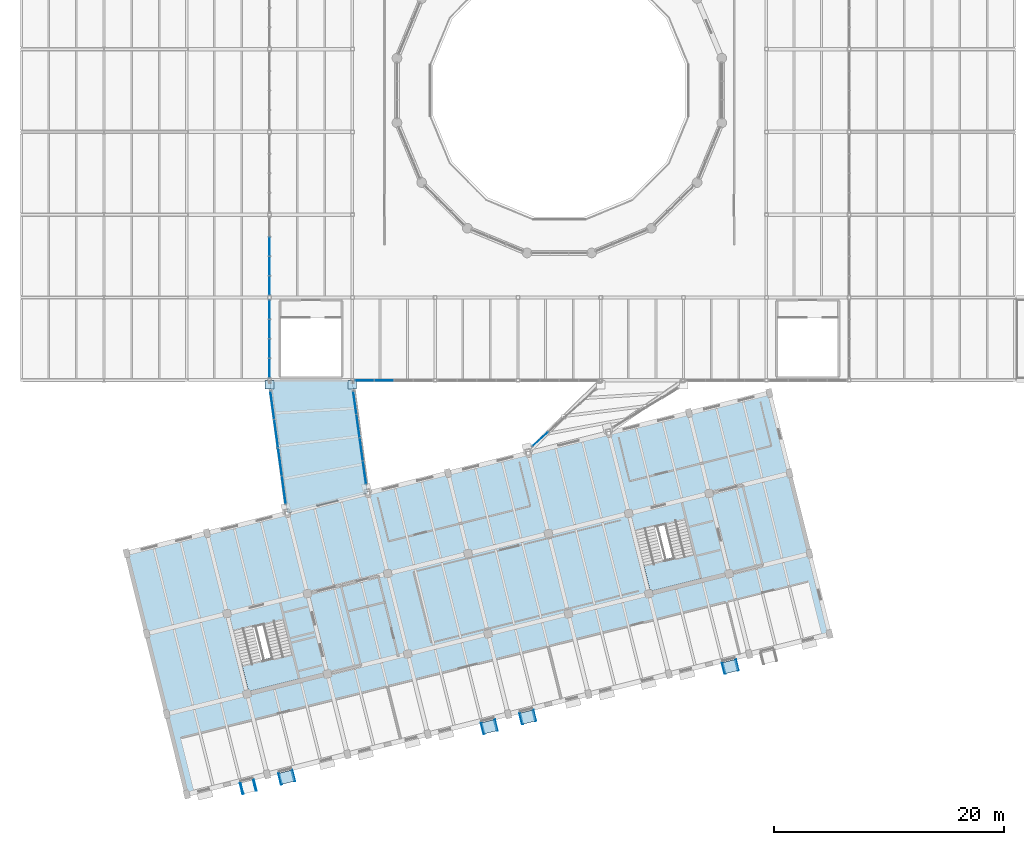
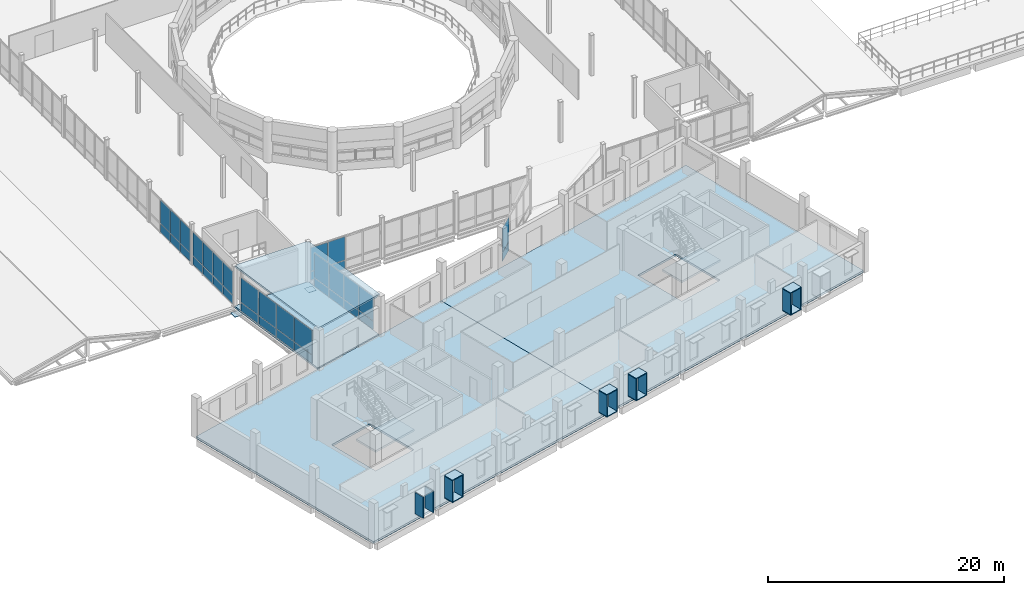
# One storey, part 38 of 63: 56 plates, 6 slabs, 8 elements without a shape of their own.
"""IFC4 building model written with IfcOpenShell, lengths in metres."""

from ifc_helpers import new_model, si_unit, direction, frame, frame_2d, origin, origin_2d, place, context, subcontext, project, spatial, polyline, rectangle, outline, extrude, material, layer, layer_set, type_object, element, aggregate, save


model = new_model("IFC4")

# Units and contexts
model_context = context("Model", 3, precision=1e-05, world=origin(), true_north=direction((0.0, 1.0)))
body_context = subcontext(model_context, "Body", "Model", "MODEL_VIEW")
ifc_project = project(units=[si_unit("LENGTHUNIT", "METRE"), si_unit("AREAUNIT", "SQUARE_METRE"), si_unit("VOLUMEUNIT", "CUBIC_METRE"), si_unit("PLANEANGLEUNIT", "RADIAN"), si_unit("MASSUNIT", "GRAM", prefix="KILO")], contexts=[model_context])

# Site, building, storey
site_placement = place(None, origin())
site = spatial("IfcSite", under=ifc_project, at=site_placement, CompositionType="ELEMENT")
building_placement = place(site_placement, origin())
building = spatial("IfcBuilding", under=site, at=building_placement, Name="Qiaolan Assembly House", CompositionType="ELEMENT")
storey_placement = place(building_placement, frame((0.0, 0.0, 14.39990234375)))
storey = spatial("IfcBuildingStorey", under=building, at=storey_placement, Name="L03", CompositionType="ELEMENT", Elevation=14.39990234375)

# Curtain wall, plates
ifc_material_1 = material(Name="Anodised bronze aluminium", Category="aluminium")
curtain_wall_type_1 = type_object("IfcCurtainWallType", Name="CW-BRIDGE-420", PredefinedType="NOTDEFINED", material=ifc_material_1)
curtain_wall_1_placement = place(storey_placement, origin())
curtain_wall_1 = element("IfcCurtainWall", 1, at=curtain_wall_1_placement, inside=storey, type_object=curtain_wall_type_1, Name="CW-03 Glazed Skybridge Curtain Wall WB L03 W", PredefinedType="NOTDEFINED")
ifc_material_2 = material(Name="Low-E double insulating glass", Category="glass")
ifc_layer_1 = layer(ifc_material_2, 0.030029296875)
ifc_layer_set_1 = layer_set([ifc_layer_1], Name="Low-E double insulating glass")
plate_type_1 = type_object("IfcPlateType", Name="CW-BRIDGE-420-PNL", PredefinedType="CURTAIN_PANEL", material=ifc_layer_set_1)
plate_1_placement = place(storey_placement, frame((44.60791015625, 25.26025390625, 0.05615234375), z_axis=(0.0, 0.0, 1.0), x_axis=(-0.134941925417, 0.990853509236, 0.0)))
plate_1 = element("IfcPlate", 2, at=plate_1_placement, type_object=plate_type_1, Name="GL-04 glazing panel CW-BRIDGE-WB-L03-W-1", PredefinedType="CURTAIN_PANEL", context=body_context, shape_type="SweptSolid", body=[
    extrude(rectangle(XDim=2.417236328125, YDim=0.030029296875, at=frame_2d((1.20849609375, 0.0))), origin(), (0.0, 0.0, 1.0), 0.867919921875),
])
plate_2_placement = place(storey_placement, frame((44.60791015625, 25.26025390625, 0.97607421875), z_axis=(0.0, 0.0, 1.0), x_axis=(-0.134941925417, 0.990853509236, 0.0)))
plate_2 = element("IfcPlate", 3, at=plate_2_placement, type_object=plate_type_1, Name="GL-04 glazing panel CW-BRIDGE-WB-L03-W-2", PredefinedType="CURTAIN_PANEL", context=body_context, shape_type="SweptSolid", body=[
    extrude(rectangle(XDim=2.417236328125, YDim=0.030029296875, at=frame_2d((1.20849609375, 0.0))), origin(), (0.0, 0.0, 1.0), 2.51806640625),
])
plate_3_placement = place(storey_placement, frame((44.2734375, 27.716552734375, 0.05615234375), z_axis=(0.0, 0.0, 1.0), x_axis=(-0.134941925417, 0.990853509236, 0.0)))
plate_3 = element("IfcPlate", 4, at=plate_3_placement, type_object=plate_type_1, Name="GL-04 glazing panel CW-BRIDGE-WB-L03-W-3", PredefinedType="CURTAIN_PANEL", context=body_context, shape_type="SweptSolid", body=[
    extrude(rectangle(XDim=2.417236328125, YDim=0.030029296875, at=frame_2d((1.20849609375, 0.0))), origin(), (0.0, 0.0, 1.0), 0.867919921875),
])
plate_4_placement = place(storey_placement, frame((44.2734375, 27.716552734375, 0.97607421875), z_axis=(0.0, 0.0, 1.0), x_axis=(-0.134941925417, 0.990853509236, 0.0)))
plate_4 = element("IfcPlate", 5, at=plate_4_placement, type_object=plate_type_1, Name="GL-04 glazing panel CW-BRIDGE-WB-L03-W-4", PredefinedType="CURTAIN_PANEL", context=body_context, shape_type="SweptSolid", body=[
    extrude(rectangle(XDim=2.417236328125, YDim=0.030029296875, at=frame_2d((1.20849609375, 0.0))), origin(), (0.0, 0.0, 1.0), 2.51806640625),
])
plate_5_placement = place(storey_placement, frame((43.93896484375, 30.173095703125, 0.05615234375), z_axis=(0.0, 0.0, 1.0), x_axis=(-0.134955431825, 0.990851669737, 0.0)))
plate_5 = element("IfcPlate", 6, at=plate_5_placement, type_object=plate_type_1, Name="GL-04 glazing panel CW-BRIDGE-WB-L03-W-5", PredefinedType="CURTAIN_PANEL", context=body_context, shape_type="SweptSolid", body=[
    extrude(rectangle(XDim=2.4169921875, YDim=0.030029296875, at=frame_2d((1.20849609375, 0.0))), origin(), (0.0, 0.0, 1.0), 0.867919921875),
])
plate_6_placement = place(storey_placement, frame((43.93896484375, 30.173095703125, 0.97607421875), z_axis=(0.0, 0.0, 1.0), x_axis=(-0.134955431825, 0.990851669737, 0.0)))
plate_6 = element("IfcPlate", 7, at=plate_6_placement, type_object=plate_type_1, Name="GL-04 glazing panel CW-BRIDGE-WB-L03-W-6", PredefinedType="CURTAIN_PANEL", context=body_context, shape_type="SweptSolid", body=[
    extrude(rectangle(XDim=2.4169921875, YDim=0.030029296875, at=frame_2d((1.20849609375, 0.0))), origin(), (0.0, 0.0, 1.0), 2.51806640625),
])
plate_7_placement = place(storey_placement, frame((43.6044921875, 32.62939453125, 0.05615234375), z_axis=(0.0, 0.0, 1.0), x_axis=(-0.134941925417, 0.990853509236, 0.0)))
plate_7 = element("IfcPlate", 8, at=plate_7_placement, type_object=plate_type_1, Name="GL-04 glazing panel CW-BRIDGE-WB-L03-W-7", PredefinedType="CURTAIN_PANEL", context=body_context, shape_type="SweptSolid", body=[
    extrude(rectangle(XDim=2.417236328125, YDim=0.030029296875, at=frame_2d((1.20849609375, 0.0))), origin(), (0.0, 0.0, 1.0), 0.867919921875),
])
plate_8_placement = place(storey_placement, frame((43.6044921875, 32.62939453125, 0.97607421875), z_axis=(0.0, 0.0, 1.0), x_axis=(-0.134941925417, 0.990853509236, 0.0)))
plate_8 = element("IfcPlate", 9, at=plate_8_placement, type_object=plate_type_1, Name="GL-04 glazing panel CW-BRIDGE-WB-L03-W-8", PredefinedType="CURTAIN_PANEL", context=body_context, shape_type="SweptSolid", body=[
    extrude(rectangle(XDim=2.417236328125, YDim=0.030029296875, at=frame_2d((1.20849609375, 0.0))), origin(), (0.0, 0.0, 1.0), 2.51806640625),
])
aggregate(curtain_wall_1, [plate_1, plate_2, plate_3, plate_4, plate_5, plate_6, plate_7, plate_8])

curtain_wall_2_placement = place(storey_placement, origin())
curtain_wall_2 = element("IfcCurtainWall", 10, at=curtain_wall_2_placement, inside=storey, type_object=curtain_wall_type_1, Name="CW-03 Glazed Skybridge Curtain Wall WB L03 E", PredefinedType="NOTDEFINED")
plate_9_placement = place(storey_placement, frame((50.479736328125, 35.0244140625, 0.05615234375), z_axis=(0.0, 0.0, 1.0), x_axis=(0.137480926683, -0.990504414326, 0.0)))
plate_9 = element("IfcPlate", 11, at=plate_9_placement, type_object=plate_type_1, Name="GL-04 glazing panel CW-BRIDGE-WB-L03-E-1", PredefinedType="CURTAIN_PANEL", context=body_context, shape_type="SweptSolid", body=[
    extrude(rectangle(XDim=1.978271484375, YDim=0.030029296875, at=frame_2d((0.9892578125, 0.0))), origin(), (0.0, 0.0, 1.0), 0.867919921875),
])
plate_10_placement = place(storey_placement, frame((50.479736328125, 35.0244140625, 0.97607421875), z_axis=(0.0, 0.0, 1.0), x_axis=(0.137480926683, -0.990504414326, 0.0)))
plate_10 = element("IfcPlate", 12, at=plate_10_placement, type_object=plate_type_1, Name="GL-04 glazing panel CW-BRIDGE-WB-L03-E-2", PredefinedType="CURTAIN_PANEL", context=body_context, shape_type="SweptSolid", body=[
    extrude(rectangle(XDim=1.978271484375, YDim=0.030029296875, at=frame_2d((0.9892578125, 0.0))), origin(), (0.0, 0.0, 1.0), 2.51806640625),
])
plate_11_placement = place(storey_placement, frame((50.76025390625, 33.003662109375, 0.05615234375), z_axis=(0.0, 0.0, 1.0), x_axis=(0.137343054833, -0.990523541007, 0.0)))
plate_11 = element("IfcPlate", 13, at=plate_11_placement, type_object=plate_type_1, Name="GL-04 glazing panel CW-BRIDGE-WB-L03-E-3", PredefinedType="CURTAIN_PANEL", context=body_context, shape_type="SweptSolid", body=[
    extrude(rectangle(XDim=1.978515625, YDim=0.030029296875, at=frame_2d((0.9892578125, 0.0))), origin(), (0.0, 0.0, 1.0), 0.867919921875),
])
plate_12_placement = place(storey_placement, frame((50.76025390625, 33.003662109375, 0.97607421875), z_axis=(0.0, 0.0, 1.0), x_axis=(0.137343054833, -0.990523541007, 0.0)))
plate_12 = element("IfcPlate", 14, at=plate_12_placement, type_object=plate_type_1, Name="GL-04 glazing panel CW-BRIDGE-WB-L03-E-4", PredefinedType="CURTAIN_PANEL", context=body_context, shape_type="SweptSolid", body=[
    extrude(rectangle(XDim=1.978515625, YDim=0.030029296875, at=frame_2d((0.9892578125, 0.0))), origin(), (0.0, 0.0, 1.0), 2.51806640625),
])
plate_13_placement = place(storey_placement, frame((51.04052734375, 30.982421875, 0.05615234375), z_axis=(0.0, 0.0, 1.0), x_axis=(0.13735984425, -0.990521212891, 0.0)))
plate_13 = element("IfcPlate", 15, at=plate_13_placement, type_object=plate_type_1, Name="GL-04 glazing panel CW-BRIDGE-WB-L03-E-5", PredefinedType="CURTAIN_PANEL", context=body_context, shape_type="SweptSolid", body=[
    extrude(rectangle(XDim=1.978271484375, YDim=0.030029296875, at=frame_2d((0.9892578125, 0.0))), origin(), (0.0, 0.0, 1.0), 0.867919921875),
])
plate_14_placement = place(storey_placement, frame((51.04052734375, 30.982421875, 0.97607421875), z_axis=(0.0, 0.0, 1.0), x_axis=(0.13735984425, -0.990521212891, 0.0)))
plate_14 = element("IfcPlate", 16, at=plate_14_placement, type_object=plate_type_1, Name="GL-04 glazing panel CW-BRIDGE-WB-L03-E-6", PredefinedType="CURTAIN_PANEL", context=body_context, shape_type="SweptSolid", body=[
    extrude(rectangle(XDim=1.978271484375, YDim=0.030029296875, at=frame_2d((0.9892578125, 0.0))), origin(), (0.0, 0.0, 1.0), 2.51806640625),
])
plate_15_placement = place(storey_placement, frame((51.32080078125, 28.961669921875, 0.05615234375), z_axis=(0.0, 0.0, 1.0), x_axis=(0.137343054833, -0.990523541007, 0.0)))
plate_15 = element("IfcPlate", 17, at=plate_15_placement, type_object=plate_type_1, Name="GL-04 glazing panel CW-BRIDGE-WB-L03-E-7", PredefinedType="CURTAIN_PANEL", context=body_context, shape_type="SweptSolid", body=[
    extrude(rectangle(XDim=1.978515625, YDim=0.030029296875, at=frame_2d((0.9892578125, 0.0))), origin(), (0.0, 0.0, 1.0), 0.867919921875),
])
plate_16_placement = place(storey_placement, frame((51.32080078125, 28.961669921875, 0.97607421875), z_axis=(0.0, 0.0, 1.0), x_axis=(0.137343054833, -0.990523541007, 0.0)))
plate_16 = element("IfcPlate", 18, at=plate_16_placement, type_object=plate_type_1, Name="GL-04 glazing panel CW-BRIDGE-WB-L03-E-8", PredefinedType="CURTAIN_PANEL", context=body_context, shape_type="SweptSolid", body=[
    extrude(rectangle(XDim=1.978515625, YDim=0.030029296875, at=frame_2d((0.9892578125, 0.0))), origin(), (0.0, 0.0, 1.0), 2.51806640625),
])
aggregate(curtain_wall_2, [plate_9, plate_10, plate_11, plate_12, plate_13, plate_14, plate_15, plate_16])

curtain_wall_3_placement = place(storey_placement, origin())
curtain_wall_3 = element("IfcCurtainWall", 19, at=curtain_wall_3_placement, inside=storey, type_object=curtain_wall_type_1, Name="CW-03 Glazed Skybridge Curtain Wall EB L03 W", PredefinedType="NOTDEFINED")
plate_17_placement = place(storey_placement, frame((66.07763671875, 30.297607421875, 0.05615234375), z_axis=(0.0, 0.0, 1.0), x_axis=(0.744988771168, 0.667077005175, 0.0)))
plate_17 = element("IfcPlate", 20, at=plate_17_placement, type_object=plate_type_1, Name="GL-04 glazing panel CW-BRIDGE-EB-L03-W-1", PredefinedType="CURTAIN_PANEL", context=body_context, shape_type="SweptSolid", body=[
    extrude(rectangle(XDim=1.79541015625, YDim=0.030029296875, at=frame_2d((0.897705078125, 0.0))), origin(), (0.0, 0.0, 1.0), 0.867919921875),
])
plate_18_placement = place(storey_placement, frame((66.07763671875, 30.297607421875, 0.97607421875), z_axis=(0.0, 0.0, 1.0), x_axis=(0.744988771168, 0.667077005175, 0.0)))
plate_18 = element("IfcPlate", 21, at=plate_18_placement, type_object=plate_type_1, Name="GL-04 glazing panel CW-BRIDGE-EB-L03-W-2", PredefinedType="CURTAIN_PANEL", context=body_context, shape_type="SweptSolid", body=[
    extrude(rectangle(XDim=1.79541015625, YDim=0.030029296875, at=frame_2d((0.897705078125, 0.0))), origin(), (0.0, 0.0, 1.0), 2.51806640625),
])
aggregate(curtain_wall_3, [plate_17, plate_18])

curtain_wall_type_2 = type_object("IfcCurtainWallType", Name="CW-HALL-CONC-420", PredefinedType="NOTDEFINED", material=ifc_material_1)
curtain_wall_4_placement = place(storey_placement, origin())
curtain_wall_4 = element("IfcCurtainWall", 22, at=curtain_wall_4_placement, inside=storey, type_object=curtain_wall_type_2, Name="CW-07 L03 Concourse South CW 2", PredefinedType="NOTDEFINED")
ifc_layer_2 = layer(ifc_material_2, 0.031005859375)
ifc_layer_set_2 = layer_set([ifc_layer_2], Name="Low-E double insulating glass")
plate_type_2 = type_object("IfcPlateType", Name="CW-HALL-CONC-420-PNL", PredefinedType="CURTAIN_PANEL", material=ifc_layer_set_2)
plate_19_placement = place(storey_placement, frame((50.64306640625, 36.0, 0.05810546875), z_axis=(0.0, 0.0, 1.0), x_axis=(1.0, 0.0, 0.0)))
plate_19 = element("IfcPlate", 23, at=plate_19_placement, type_object=plate_type_2, Name="GL-03 glazing panel CW-HLC-S-01-1", PredefinedType="CURTAIN_PANEL", context=body_context, shape_type="SweptSolid", body=[
    extrude(rectangle(XDim=1.62890625, YDim=0.031005859375, at=frame_2d((0.814453125, 0.0))), origin(), (0.0, 0.0, 1.0), 0.864013671875),
])
plate_20_placement = place(storey_placement, frame((50.64306640625, 36.0, 0.97802734375), z_axis=(0.0, 0.0, 1.0), x_axis=(1.0, 0.0, 0.0)))
plate_20 = element("IfcPlate", 24, at=plate_20_placement, type_object=plate_type_2, Name="GL-03 glazing panel CW-HLC-S-01-2", PredefinedType="CURTAIN_PANEL", context=body_context, shape_type="SweptSolid", body=[
    extrude(rectangle(XDim=1.62890625, YDim=0.031005859375, at=frame_2d((0.814453125, 0.0))), origin(), (0.0, 0.0, 1.0), 2.4140625),
])
plate_21_placement = place(storey_placement, frame((52.337890625, 36.0, 0.05810546875), z_axis=(0.0, 0.0, 1.0), x_axis=(1.0, 0.0, 0.0)))
plate_21 = element("IfcPlate", 25, at=plate_21_placement, type_object=plate_type_2, Name="GL-03 glazing panel CW-HLC-S-01-3", PredefinedType="CURTAIN_PANEL", context=body_context, shape_type="SweptSolid", body=[
    extrude(rectangle(XDim=1.629150390625, YDim=0.031005859375, at=frame_2d((0.814453125, 0.0))), origin(), (0.0, 0.0, 1.0), 0.864013671875),
])
plate_22_placement = place(storey_placement, frame((52.337890625, 36.0, 0.97802734375), z_axis=(0.0, 0.0, 1.0), x_axis=(1.0, 0.0, 0.0)))
plate_22 = element("IfcPlate", 26, at=plate_22_placement, type_object=plate_type_2, Name="GL-03 glazing panel CW-HLC-S-01-4", PredefinedType="CURTAIN_PANEL", context=body_context, shape_type="SweptSolid", body=[
    extrude(rectangle(XDim=1.629150390625, YDim=0.031005859375, at=frame_2d((0.814453125, 0.0))), origin(), (0.0, 0.0, 1.0), 2.4140625),
])
aggregate(curtain_wall_4, [plate_19, plate_20, plate_21, plate_22])

curtain_wall_5_placement = place(storey_placement, origin())
curtain_wall_5 = element("IfcCurtainWall", 27, at=curtain_wall_5_placement, inside=storey, type_object=curtain_wall_type_2, Name="CW-07 L03 Concourse West CW 1", PredefinedType="NOTDEFINED")
plate_23_placement = place(storey_placement, frame((43.199951171875, 36.242919921875, 0.05810546875), z_axis=(0.0, 0.0, 1.0), x_axis=(0.0, 1.0, 0.0)))
plate_23 = element("IfcPlate", 28, at=plate_23_placement, type_object=plate_type_2, Name="GL-03 glazing panel CW-HLC-W-00-1", PredefinedType="CURTAIN_PANEL", context=body_context, shape_type="SweptSolid", body=[
    extrude(rectangle(XDim=1.629150390625, YDim=0.031005859375, at=frame_2d((0.814453125, 0.0))), origin(), (0.0, 0.0, 1.0), 0.864013671875),
])
plate_24_placement = place(storey_placement, frame((43.199951171875, 36.242919921875, 0.97802734375), z_axis=(0.0, 0.0, 1.0), x_axis=(0.0, 1.0, 0.0)))
plate_24 = element("IfcPlate", 29, at=plate_24_placement, type_object=plate_type_2, Name="GL-03 glazing panel CW-HLC-W-00-2", PredefinedType="CURTAIN_PANEL", context=body_context, shape_type="SweptSolid", body=[
    extrude(rectangle(XDim=1.629150390625, YDim=0.031005859375, at=frame_2d((0.814453125, 0.0))), origin(), (0.0, 0.0, 1.0), 2.4140625),
])
plate_25_placement = place(storey_placement, frame((43.199951171875, 37.93798828125, 0.05810546875), z_axis=(0.0, 0.0, 1.0), x_axis=(0.0, 1.0, 0.0)))
plate_25 = element("IfcPlate", 30, at=plate_25_placement, type_object=plate_type_2, Name="GL-03 glazing panel CW-HLC-W-00-3", PredefinedType="CURTAIN_PANEL", context=body_context, shape_type="SweptSolid", body=[
    extrude(rectangle(XDim=1.62890625, YDim=0.031005859375, at=frame_2d((0.814453125, 0.0))), origin(), (0.0, 0.0, 1.0), 0.864013671875),
])
plate_26_placement = place(storey_placement, frame((43.199951171875, 37.93798828125, 0.97802734375), z_axis=(0.0, 0.0, 1.0), x_axis=(0.0, 1.0, 0.0)))
plate_26 = element("IfcPlate", 31, at=plate_26_placement, type_object=plate_type_2, Name="GL-03 glazing panel CW-HLC-W-00-4", PredefinedType="CURTAIN_PANEL", context=body_context, shape_type="SweptSolid", body=[
    extrude(rectangle(XDim=1.62890625, YDim=0.031005859375, at=frame_2d((0.814453125, 0.0))), origin(), (0.0, 0.0, 1.0), 2.4140625),
])
plate_27_placement = place(storey_placement, frame((43.199951171875, 39.633056640625, 0.05810546875), z_axis=(0.0, 0.0, 1.0), x_axis=(0.0, 1.0, 0.0)))
plate_27 = element("IfcPlate", 32, at=plate_27_placement, type_object=plate_type_2, Name="GL-03 glazing panel CW-HLC-W-00-5", PredefinedType="CURTAIN_PANEL", context=body_context, shape_type="SweptSolid", body=[
    extrude(rectangle(XDim=1.62890625, YDim=0.031005859375, at=frame_2d((0.814453125, 0.0))), origin(), (0.0, 0.0, 1.0), 0.864013671875),
])
plate_28_placement = place(storey_placement, frame((43.199951171875, 39.633056640625, 0.97802734375), z_axis=(0.0, 0.0, 1.0), x_axis=(0.0, 1.0, 0.0)))
plate_28 = element("IfcPlate", 33, at=plate_28_placement, type_object=plate_type_2, Name="GL-03 glazing panel CW-HLC-W-00-6", PredefinedType="CURTAIN_PANEL", context=body_context, shape_type="SweptSolid", body=[
    extrude(rectangle(XDim=1.62890625, YDim=0.031005859375, at=frame_2d((0.814453125, 0.0))), origin(), (0.0, 0.0, 1.0), 2.4140625),
])
plate_29_placement = place(storey_placement, frame((43.199951171875, 41.327880859375, 0.05810546875), z_axis=(0.0, 0.0, 1.0), x_axis=(0.0, 1.0, 0.0)))
plate_29 = element("IfcPlate", 34, at=plate_29_placement, type_object=plate_type_2, Name="GL-03 glazing panel CW-HLC-W-00-7", PredefinedType="CURTAIN_PANEL", context=body_context, shape_type="SweptSolid", body=[
    extrude(rectangle(XDim=1.629150390625, YDim=0.031005859375, at=frame_2d((0.814453125, 0.0))), origin(), (0.0, 0.0, 1.0), 0.864013671875),
])
plate_30_placement = place(storey_placement, frame((43.199951171875, 41.327880859375, 0.97802734375), z_axis=(0.0, 0.0, 1.0), x_axis=(0.0, 1.0, 0.0)))
plate_30 = element("IfcPlate", 35, at=plate_30_placement, type_object=plate_type_2, Name="GL-03 glazing panel CW-HLC-W-00-8", PredefinedType="CURTAIN_PANEL", context=body_context, shape_type="SweptSolid", body=[
    extrude(rectangle(XDim=1.629150390625, YDim=0.031005859375, at=frame_2d((0.814453125, 0.0))), origin(), (0.0, 0.0, 1.0), 2.4140625),
])
aggregate(curtain_wall_5, [plate_23, plate_24, plate_25, plate_26, plate_27, plate_28, plate_29, plate_30])

curtain_wall_6_placement = place(storey_placement, origin())
curtain_wall_6 = element("IfcCurtainWall", 36, at=curtain_wall_6_placement, inside=storey, type_object=curtain_wall_type_2, Name="CW-07 L03 Concourse West CW 2", PredefinedType="NOTDEFINED")
plate_31_placement = place(storey_placement, frame((43.199951171875, 43.443115234375, 0.05810546875), z_axis=(0.0, 0.0, 1.0), x_axis=(0.0, 1.0, 0.0)))
plate_31 = element("IfcPlate", 37, at=plate_31_placement, type_object=plate_type_2, Name="GL-03 glazing panel CW-HLC-W-01-1", PredefinedType="CURTAIN_PANEL", context=body_context, shape_type="SweptSolid", body=[
    extrude(rectangle(XDim=1.62890625, YDim=0.031005859375, at=frame_2d((0.814453125, 0.0))), origin(), (0.0, 0.0, 1.0), 0.864013671875),
])
plate_32_placement = place(storey_placement, frame((43.199951171875, 43.443115234375, 0.97802734375), z_axis=(0.0, 0.0, 1.0), x_axis=(0.0, 1.0, 0.0)))
plate_32 = element("IfcPlate", 38, at=plate_32_placement, type_object=plate_type_2, Name="GL-03 glazing panel CW-HLC-W-01-2", PredefinedType="CURTAIN_PANEL", context=body_context, shape_type="SweptSolid", body=[
    extrude(rectangle(XDim=1.62890625, YDim=0.031005859375, at=frame_2d((0.814453125, 0.0))), origin(), (0.0, 0.0, 1.0), 2.4140625),
])
plate_33_placement = place(storey_placement, frame((43.199951171875, 45.137939453125, 0.05810546875), z_axis=(0.0, 0.0, 1.0), x_axis=(0.0, 1.0, 0.0)))
plate_33 = element("IfcPlate", 39, at=plate_33_placement, type_object=plate_type_2, Name="GL-03 glazing panel CW-HLC-W-01-3", PredefinedType="CURTAIN_PANEL", context=body_context, shape_type="SweptSolid", body=[
    extrude(rectangle(XDim=1.629150390625, YDim=0.031005859375, at=frame_2d((0.814453125, 0.0))), origin(), (0.0, 0.0, 1.0), 0.864013671875),
])
plate_34_placement = place(storey_placement, frame((43.199951171875, 45.137939453125, 0.97802734375), z_axis=(0.0, 0.0, 1.0), x_axis=(0.0, 1.0, 0.0)))
plate_34 = element("IfcPlate", 40, at=plate_34_placement, type_object=plate_type_2, Name="GL-03 glazing panel CW-HLC-W-01-4", PredefinedType="CURTAIN_PANEL", context=body_context, shape_type="SweptSolid", body=[
    extrude(rectangle(XDim=1.629150390625, YDim=0.031005859375, at=frame_2d((0.814453125, 0.0))), origin(), (0.0, 0.0, 1.0), 2.4140625),
])
plate_35_placement = place(storey_placement, frame((43.199951171875, 46.8330078125, 0.05810546875), z_axis=(0.0, 0.0, 1.0), x_axis=(0.0, 1.0, 0.0)))
plate_35 = element("IfcPlate", 41, at=plate_35_placement, type_object=plate_type_2, Name="GL-03 glazing panel CW-HLC-W-01-5", PredefinedType="CURTAIN_PANEL", context=body_context, shape_type="SweptSolid", body=[
    extrude(rectangle(XDim=1.62890625, YDim=0.031005859375, at=frame_2d((0.814453125, 0.0))), origin(), (0.0, 0.0, 1.0), 0.864013671875),
])
plate_36_placement = place(storey_placement, frame((43.199951171875, 46.8330078125, 0.97802734375), z_axis=(0.0, 0.0, 1.0), x_axis=(0.0, 1.0, 0.0)))
plate_36 = element("IfcPlate", 42, at=plate_36_placement, type_object=plate_type_2, Name="GL-03 glazing panel CW-HLC-W-01-6", PredefinedType="CURTAIN_PANEL", context=body_context, shape_type="SweptSolid", body=[
    extrude(rectangle(XDim=1.62890625, YDim=0.031005859375, at=frame_2d((0.814453125, 0.0))), origin(), (0.0, 0.0, 1.0), 2.4140625),
])
aggregate(curtain_wall_6, [plate_31, plate_32, plate_33, plate_34, plate_35, plate_36])

# Plates
ifc_material_3 = material(Name="Steel Q355B", Category="steel")
ifc_layer_3 = layer(ifc_material_3, 0.02490234375)
ifc_layer_set_3 = layer_set([ifc_layer_3], Name="Steel Q355B")
plate_type_3 = type_object("IfcPlateType", Name="PLT-SEAT-PTFE-450", PredefinedType="SHEET", material=ifc_layer_set_3)
for number, where, z_axis, x_axis, name in (
    (43, (43.199951171875, 35.625, -0.61181640625), (0.0, 0.0, 1.0), (1.0, 0.0, 0.0), "NP-03 Hall bridge 750mm steel seat shelf WB L03"),
    (44, (50.39990234375, 35.625, -0.61181640625), (0.0, 0.0, 1.0), (1.0, 0.0, 0.0), "NP-03 Hall bridge 750mm steel seat shelf WB L03"),
):
    element("IfcPlate", number, at=place(storey_placement, frame(where, z_axis=z_axis, x_axis=x_axis)), inside=storey, type_object=plate_type_3, Name=name, PredefinedType="SHEET", context=body_context, shape_type="SweptSolid", body=[
        extrude(rectangle(XDim=0.75, YDim=0.75, at=origin_2d()), origin(), (0.0, 0.0, 1.0), 0.035888671875),
    ])
ifc_material_4 = material(Name="Honed pale limestone", Category="masonry")
ifc_layer_4 = layer(ifc_material_4, 0.0849609375)
ifc_layer_set_4 = layer_set([ifc_layer_4], Name="Honed pale limestone")
plate_type_4 = type_object("IfcPlateType", Name="PLT-WINBOX-CHEEK", PredefinedType="SHEET", material=ifc_layer_set_4)
for number, where, z_axis, x_axis, name in (
    (45, (40.77587890625, 0.510498046875, 0.7001953125), (0.0, 0.0, 1.0), (0.970295726276, 0.2419218956, 0.0), "WB-02 projecting window-box cheek CL SES-L03-00-2"),
    (46, (41.925537109375, 0.797119140625, 0.7001953125), (0.0, 0.0, 1.0), (0.970295726276, 0.2419218956, 0.0), "WB-02 projecting window-box cheek CR SES-L03-00-2"),
    (47, (44.123291015625, 1.34521484375, 0.7001953125), (0.0, 0.0, 1.0), (0.970295726276, 0.2419218956, 0.0), "WB-02 projecting window-box cheek CL SES-L03-01-0"),
    (48, (45.273193359375, 1.6318359375, 0.7001953125), (0.0, 0.0, 1.0), (0.970295726276, 0.2419218956, 0.0), "WB-02 projecting window-box cheek CR SES-L03-01-0"),
    (49, (61.734130859375, 5.736083984375, 0.7001953125), (0.0, 0.0, 1.0), (0.970295726276, 0.2419218956, 0.0), "WB-02 projecting window-box cheek CL SES-L03-03-2"),
    (50, (62.884033203125, 6.022705078125, 0.7001953125), (0.0, 0.0, 1.0), (0.970295726276, 0.2419218956, 0.0), "WB-02 projecting window-box cheek CR SES-L03-03-2"),
    (51, (65.081787109375, 6.57080078125, 0.7001953125), (0.0, 0.0, 1.0), (0.970295726276, 0.2419218956, 0.0), "WB-02 projecting window-box cheek CL SES-L03-04-0"),
    (52, (66.2314453125, 6.857421875, 0.7001953125), (0.0, 0.0, 1.0), (0.970295726276, 0.2419218956, 0.0), "WB-02 projecting window-box cheek CR SES-L03-04-0"),
    (53, (82.692626953125, 10.961669921875, 0.7001953125), (0.0, 0.0, 1.0), (0.970295726276, 0.2419218956, 0.0), "WB-02 projecting window-box cheek CL SES-L03-06-2"),
    (54, (83.842529296875, 11.248291015625, 0.7001953125), (0.0, 0.0, 1.0), (0.970295726276, 0.2419218956, 0.0), "WB-02 projecting window-box cheek CR SES-L03-06-2"),
):
    element("IfcPlate", number, at=place(storey_placement, frame(where, z_axis=z_axis, x_axis=x_axis)), inside=storey, type_object=plate_type_4, Name=name, PredefinedType="SHEET", context=body_context, shape_type="SweptSolid", body=[
        extrude(rectangle(XDim=0.0849609375, YDim=1.0, at=origin_2d()), origin(), (0.0, 0.0, 1.0), 2.18994140625),
    ])
ifc_layer_5 = layer(ifc_material_4, 0.080078125)
ifc_layer_set_5 = layer_set([ifc_layer_5], Name="Honed pale limestone")
plate_type_5 = type_object("IfcPlateType", Name="PLT-WINBOX-SURROUND", PredefinedType="SHEET", material=ifc_layer_set_5)
for number, where, name in (
    (55, (0.0, 0.0, 0.6201171875), "WB-01 projecting limestone window-box sill SES-L03-01-0"),
    (56, (0.0, 0.0, 2.89013671875), "WB-01 projecting limestone window-box hood SES-L03-01-0"),
):
    element("IfcPlate", number, at=place(storey_placement, frame(where)), inside=storey, type_object=plate_type_5, Name=name, PredefinedType="SHEET", context=body_context, shape_type="SweptSolid", body=[
        extrude(outline(polyline([(44.203125, 0.849853515625), (45.435302734375, 1.156982421875), (45.193359375, 2.127197265625), (43.961181640625, 1.820068359375), (44.203125, 0.849853515625)])), origin(), (0.0, 0.0, 1.0), 0.080078125),
    ])
for number, where, name in (
    (57, (0.0, 0.0, 0.6201171875), "WB-01 projecting limestone window-box sill SES-L03-03-2"),
    (58, (0.0, 0.0, 2.89013671875), "WB-01 projecting limestone window-box hood SES-L03-03-2"),
):
    element("IfcPlate", number, at=place(storey_placement, frame(where)), inside=storey, type_object=plate_type_5, Name=name, PredefinedType="SHEET", context=body_context, shape_type="SweptSolid", body=[
        extrude(outline(polyline([(61.81396484375, 5.24072265625), (63.046142578125, 5.5478515625), (62.80419921875, 6.51806640625), (61.572021484375, 6.2109375), (61.81396484375, 5.24072265625)])), origin(), (0.0, 0.0, 1.0), 0.080078125),
    ])
for number, where, name in (
    (59, (0.0, 0.0, 0.6201171875), "WB-01 projecting limestone window-box sill SES-L03-04-0"),
    (60, (0.0, 0.0, 2.89013671875), "WB-01 projecting limestone window-box hood SES-L03-04-0"),
):
    element("IfcPlate", number, at=place(storey_placement, frame(where)), inside=storey, type_object=plate_type_5, Name=name, PredefinedType="SHEET", context=body_context, shape_type="SweptSolid", body=[
        extrude(outline(polyline([(65.161376953125, 6.0751953125), (66.393798828125, 6.382568359375), (66.15185546875, 7.352783203125), (64.919677734375, 7.045654296875), (65.161376953125, 6.0751953125)])), origin(), (0.0, 0.0, 1.0), 0.080078125),
    ])
for number, where, name in (
    (61, (0.0, 0.0, 0.6201171875), "WB-01 projecting limestone window-box sill SES-L03-06-2"),
    (62, (0.0, 0.0, 2.89013671875), "WB-01 projecting limestone window-box hood SES-L03-06-2"),
):
    element("IfcPlate", number, at=place(storey_placement, frame(where)), inside=storey, type_object=plate_type_5, Name=name, PredefinedType="SHEET", context=body_context, shape_type="SweptSolid", body=[
        extrude(outline(polyline([(82.7724609375, 10.466064453125), (84.004638671875, 10.7734375), (83.7626953125, 11.74365234375), (82.530517578125, 11.4365234375), (82.7724609375, 10.466064453125)])), origin(), (0.0, 0.0, 1.0), 0.080078125),
    ])

# Slabs
ifc_material_5 = material(Name="Concrete C40/50", Category="concrete")
ifc_layer_6 = layer(ifc_material_5, 0.18505859375)
ifc_layer_set_6 = layer_set([ifc_layer_6], Name="Concrete C40/50")
slab_type_1 = type_object("IfcSlabType", Name="SLB-BRIDGE-185", PredefinedType="FLOOR", material=ifc_layer_set_6)
slab_1_placement = place(storey_placement, frame((0.0, 0.0, -0.184814453125)))
element("IfcSlab", 63, at=slab_1_placement, inside=storey, type_object=slab_type_1, Name="FS-08 Glazed Skybridge Deck WB L03", PredefinedType="FLOOR", context=body_context, shape_type="SweptSolid", body=[
    extrude(outline(polyline([(44.7177734375, 24.55859375), (51.703857421875, 26.30029296875), (50.39990234375, 36.0), (43.199951171875, 36.0), (44.7177734375, 24.55859375)])), origin(), (0.0, 0.0, 1.0), 0.184814453125),
])
slab_2_placement = place(storey_placement, frame((0.0, 0.0, 4.01513671875)))
element("IfcSlab", 64, at=slab_2_placement, inside=storey, type_object=slab_type_1, Name="Glazed Skybridge Roof Deck WB L03", PredefinedType="FLOOR", context=body_context, shape_type="SweptSolid", body=[
    extrude(outline(polyline([(44.746826171875, 24.442138671875), (51.73291015625, 26.183837890625), (50.39990234375, 36.0), (43.199951171875, 36.0), (44.746826171875, 24.442138671875)])), origin(), (0.0, 0.0, 1.0), 0.18505859375),
])

# Stair, slab
stair_type = type_object("IfcStairType", Name="STR-STD-420", PredefinedType="HALF_TURN_STAIR", material=ifc_material_5)
stair_1_placement = place(storey_placement, origin())
stair_1 = element("IfcStair", 65, at=stair_1_placement, inside=storey, type_object=stair_type, Name="ST-05 enclosed egress stair CORE-C L03", PredefinedType="HALF_TURN_STAIR")
ifc_layer_7 = layer(ifc_material_5, 0.199951171875)
ifc_layer_set_7 = layer_set([ifc_layer_7], Name="Concrete C40/50")
slab_type_2 = type_object("IfcSlabType", Name="SLB-LANDING-200", PredefinedType="LANDING", material=ifc_layer_set_7)
slab_3_placement = place(storey_placement, frame((0.0, 0.0, 1.900146484375)))
slab_3 = element("IfcSlab", 66, at=slab_3_placement, type_object=slab_type_2, Name="Stair landing LND-CORE-C-L03-HL", PredefinedType="LANDING", context=body_context, shape_type="SweptSolid", body=[
    extrude(outline(polyline([(41.37548828125, 8.946044921875), (40.797119140625, 11.26513671875), (45.202392578125, 12.363525390625), (45.780517578125, 10.04443359375), (41.37548828125, 8.946044921875)])), origin(), (0.0, 0.0, 1.0), 0.199951171875),
])
aggregate(stair_1, [slab_3])

stair_2_placement = place(storey_placement, origin())
stair_2 = element("IfcStair", 67, at=stair_2_placement, inside=storey, type_object=stair_type, Name="ST-05 enclosed egress stair CORE-D L03", PredefinedType="HALF_TURN_STAIR")
slab_4_placement = place(storey_placement, frame((0.0, 0.0, 1.900146484375)))
slab_4 = element("IfcSlab", 68, at=slab_4_placement, type_object=slab_type_2, Name="Stair landing LND-CORE-D-L03-HL", PredefinedType="LANDING", context=body_context, shape_type="SweptSolid", body=[
    extrude(outline(polyline([(76.30615234375, 17.6552734375), (75.727783203125, 19.974365234375), (80.133056640625, 21.07275390625), (80.711181640625, 18.753662109375), (76.30615234375, 17.6552734375)])), origin(), (0.0, 0.0, 1.0), 0.199951171875),
])
aggregate(stair_2, [slab_4])

# Slabs
ifc_layer_8 = layer(ifc_material_5, 0.215087890625)
ifc_layer_set_8 = layer_set([ifc_layer_8], Name="Concrete C40/50")
slab_type_3 = type_object("IfcSlabType", Name="SLB-SE-FLOOR-215", PredefinedType="FLOOR", material=ifc_layer_set_8)
slab_5_placement = place(storey_placement, frame((0.0, 0.0, -0.21484375)))
element("IfcSlab", 69, at=slab_5_placement, inside=storey, type_object=slab_type_3, Name="FS-07 South-East Splayed Wing West Plate L03", PredefinedType="FLOOR", context=body_context, shape_type="SweptSolid", body=[
    extrude(outline(polyline([(36.0, 0.0), (63.944580078125, 6.96728515625), (58.718994140625, 27.92578125), (30.7744140625, 20.95849609375), (36.0, 0.0)]), holes=[polyline([(40.095703125, 14.161376953125), (44.442626953125, 15.245361328125), (45.73681640625, 10.05419921875), (41.389892578125, 8.970458984375), (40.095703125, 14.161376953125)])]), origin(), (0.0, 0.0, 1.0), 0.21484375),
])
slab_6_placement = place(storey_placement, frame((0.0, 0.0, -0.21484375)))
element("IfcSlab", 70, at=slab_6_placement, inside=storey, type_object=slab_type_3, Name="FS-07 South-East Splayed Wing East Plate L03", PredefinedType="FLOOR", context=body_context, shape_type="SweptSolid", body=[
    extrude(outline(polyline([(63.944580078125, 6.96728515625), (91.888916015625, 13.934814453125), (86.66357421875, 34.89306640625), (58.718994140625, 27.92578125), (63.944580078125, 6.96728515625)]), holes=[polyline([(75.0263671875, 22.87060546875), (79.373291015625, 23.95458984375), (80.66748046875, 18.763427734375), (76.320556640625, 17.6796875), (75.0263671875, 22.87060546875)])]), origin(), (0.0, 0.0, 1.0), 0.21484375),
])

save(model, "model.ifc")
